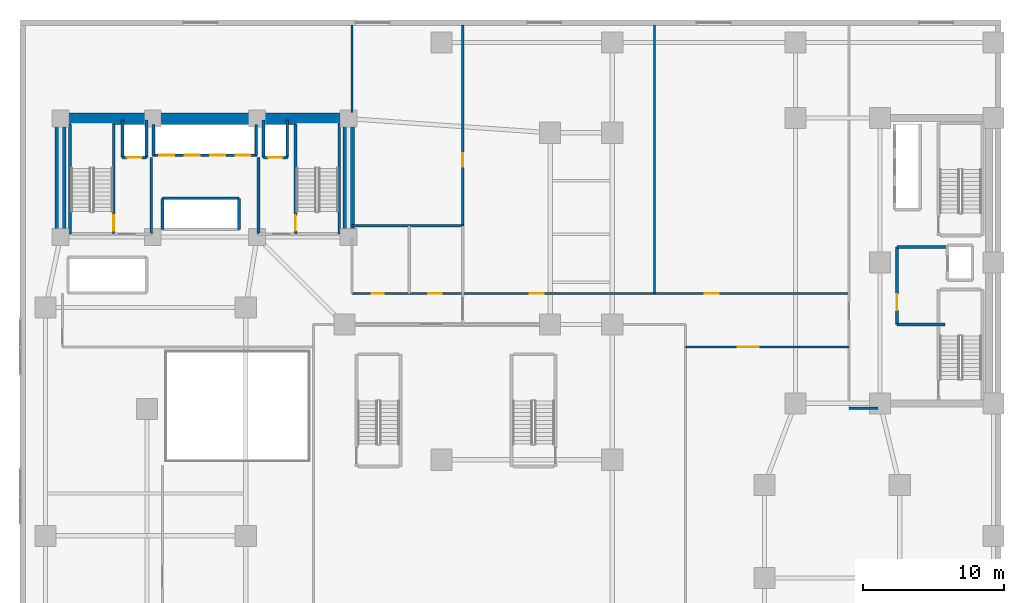
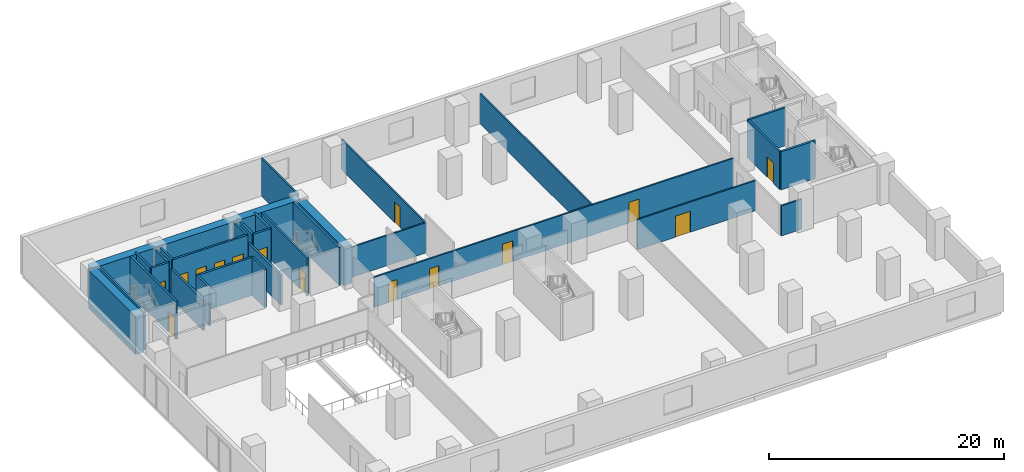
# One storey, part 9 of 14: 31 walls, 15 doors, 15 openings.
"""IFC4 building model written with IfcOpenShell, lengths in metres."""

import ifcopenshell
import ifcopenshell.guid

model = None  # the IFC model being written
_history = None  # IfcOwnerHistory: only IFC2X3 demands one
_inside = {}  # id of a spatial element -> (the spatial element, [elements in it])
_under = {}  # id of a project, library or spatial element -> (it, [spatial elements below it])
_declared = {}  # id of a project -> (the project, [libraries it declares])
_typed = {}  # id of a type object -> (the type object, [elements of that type])
_made_of = {}  # id of a material, layer set ... -> (it, [elements and type objects made of it])


def new_model(schema):
    """Start an empty IFC model of exactly this schema.

    Asked for "IFC4X3", IfcOpenShell would pick the latest addendum, in which some entities
    have other attributes; the version numbers below select the first issue.
    IFC2X3 requires an IfcOwnerHistory on every rooted entity: one is made here for all.
    """
    global model, _history
    if schema == "IFC4X3":
        model = ifcopenshell.file(schema_version=(4, 3, 0, 0))
    else:
        model = ifcopenshell.file(schema=schema)
    _inside.clear()
    _under.clear()
    _declared.clear()
    _typed.clear()
    _made_of.clear()
    _history = None
    if model.schema == "IFC2X3":
        org = make("IfcOrganization", Name="unknown")
        user = make(
            "IfcPersonAndOrganization",
            ThePerson=make("IfcPerson", FamilyName="unknown"),
            TheOrganization=org,
        )
        app = make(
            "IfcApplication",
            ApplicationDeveloper=org,
            Version="unknown",
            ApplicationFullName="unknown",
            ApplicationIdentifier="unknown",
        )
        _history = make(
            "IfcOwnerHistory",
            OwningUser=user,
            OwningApplication=app,
            ChangeAction="ADDED",
            CreationDate=0,
        )
    return model


def make(cls, **values):
    """One entity of the class cls with the attributes given. An attribute that is None is left unset."""
    return model.create_entity(
        cls, **{name: value for name, value in values.items() if value is not None}
    )


def rooted(cls, **values):
    """An entity with a GlobalId (a new one), such as an element, a storey or a relation."""
    return make(cls, GlobalId=ifcopenshell.guid.new(), OwnerHistory=_history, **values)


def si_unit(unit_type, name, prefix=None):
    """IfcSIUnit, for example si_unit("LENGTHUNIT", "METRE", prefix="MILLI")."""
    return make("IfcSIUnit", UnitType=unit_type, Prefix=prefix, Name=name)


def assignment(units):
    """IfcUnitAssignment: the units of a project."""
    return None if units is None else make("IfcUnitAssignment", Units=units)


def point(xyz):
    """IfcCartesianPoint."""
    return None if xyz is None else make("IfcCartesianPoint", Coordinates=xyz)


def direction(xyz):
    """IfcDirection."""
    return None if xyz is None else make("IfcDirection", DirectionRatios=xyz)


def frame(location, z_axis=None, x_axis=None):
    """IfcAxis2Placement3D, a coordinate frame: its origin and axes. An axis left out is left unset."""
    return make(
        "IfcAxis2Placement3D",
        Location=point(location),
        Axis=direction(z_axis),
        RefDirection=direction(x_axis),
    )


def frame_2d(location, x_axis=None):
    """IfcAxis2Placement2D, a coordinate frame in the plane: its origin and x axis."""
    return make(
        "IfcAxis2Placement2D", Location=point(location), RefDirection=direction(x_axis)
    )


def origin():
    """The frame at (0, 0, 0) with its axes left unset."""
    return frame((0.0, 0.0, 0.0))


def place(relative_to, where):
    """IfcLocalPlacement: puts the frame where relative to a parent placement (None: the world)."""
    return make(
        "IfcLocalPlacement", PlacementRelTo=relative_to, RelativePlacement=where
    )


def context(
    kind, dimensions, precision=None, world=None, true_north=None, identifier=None
):
    """IfcGeometricRepresentationContext, for example the 3D "Model" context."""
    return make(
        "IfcGeometricRepresentationContext",
        ContextIdentifier=identifier,
        ContextType=kind,
        CoordinateSpaceDimension=dimensions,
        Precision=precision,
        WorldCoordinateSystem=world,
        TrueNorth=true_north,
    )


def subcontext(parent, identifier, kind, view, scale=None):
    """IfcGeometricRepresentationSubContext, for example "Body" below "Model"."""
    return make(
        "IfcGeometricRepresentationSubContext",
        ContextIdentifier=identifier,
        ContextType=kind,
        ParentContext=parent,
        TargetScale=scale,
        TargetView=view,
    )


def project(units=None, contexts=None):
    """IfcProject with its units and contexts."""
    return rooted(
        "IfcProject",
        Name="project",
        RepresentationContexts=contexts,
        UnitsInContext=assignment(units),
    )


def spatial(cls, under=None, at=None, **own):
    """A site, building, storey or space (cls), placed at a placement, below another one or the project."""
    s = rooted(cls, ObjectPlacement=at, **own)
    if under is not None:
        _under.setdefault(under.id(), (under, []))[1].append(s)
    return s


def profile(cls, at=None, kind="AREA", **sizes):
    """A parametric profile (cls). Its sizes go by their IFC names, for example OverallWidth=200.0."""
    return make(cls, ProfileType=kind, Position=at, **sizes)


def rectangle(**sizes):
    """IfcRectangleProfileDef."""
    return profile("IfcRectangleProfileDef", **sizes)


def extrude(swept, where, along, depth):
    """IfcExtrudedAreaSolid: the profile swept, set in the frame where, extruded along a direction by depth."""
    return make(
        "IfcExtrudedAreaSolid",
        SweptArea=swept,
        Position=where,
        ExtrudedDirection=direction(along),
        Depth=depth,
    )


def shape(context_of_items, identifier, shape_type, items):
    """IfcShapeRepresentation: the items that make up one representation, for example the "Body"."""
    return make(
        "IfcShapeRepresentation",
        ContextOfItems=context_of_items,
        RepresentationIdentifier=identifier,
        RepresentationType=shape_type,
        Items=items,
    )


def material(Name=None, Category=None):
    """IfcMaterial."""
    return make("IfcMaterial", Name=Name, Category=Category)


def layer(
    of_material, thickness, ventilated=None, Name=None, Category=None, Priority=None
):
    """IfcMaterialLayer: one layer of a wall or slab, of a material (None: an air gap)."""
    return make(
        "IfcMaterialLayer",
        Material=of_material,
        LayerThickness=thickness,
        IsVentilated=ventilated,
        Name=Name,
        Category=Category,
        Priority=Priority,
    )


def layer_set(layers, Name=None):
    """IfcMaterialLayerSet."""
    return make("IfcMaterialLayerSet", MaterialLayers=layers, LayerSetName=Name)


def made_of(thing, what):
    """Note that an element or type object is made of a material, layer set ...; save() writes the relation."""
    if what is not None:
        _made_of.setdefault(what.id(), (what, []))[1].append(thing)
    return thing


def type_object(cls, material=None, **own):
    """A type object (cls), such as IfcWallType, which elements share."""
    return made_of(rooted(cls, **own), material)


def element(
    cls,
    number,
    at=None,
    inside=None,
    cuts=None,
    type_object=None,
    material=None,
    context=None,
    identifier="Body",
    shape_type=None,
    held_by="IfcProductDefinitionShape",
    body=None,
    shapes=None,
    **own,
):
    """One element of the class cls, such as IfcWall. Its Tag is "e" and its number.

    at: its placement. inside: the storey or other place that contains it. cuts: it is an
    opening in that element (IfcRelVoidsElement). A single representation is given by context,
    identifier, shape_type and body (its items); several are given by shapes. held_by: the class
    of the entity that holds the representations. save() writes the other relations.
    """
    e = rooted(cls, Tag="e%d" % number, ObjectPlacement=at, **own)
    if body is not None:
        shapes = [shape(context, identifier, shape_type, body)]
    if shapes is not None:
        e.Representation = make(held_by, Representations=shapes)
    if inside is not None:
        _inside.setdefault(inside.id(), (inside, []))[1].append(e)
    if cuts is not None:
        rooted(
            "IfcRelVoidsElement", RelatingBuildingElement=cuts, RelatedOpeningElement=e
        )
    if type_object is not None:
        _typed.setdefault(type_object.id(), (type_object, []))[1].append(e)
    return made_of(e, material)


def fill(opening, filler):
    """IfcRelFillsElement: the door or window that sits in an opening."""
    return rooted(
        "IfcRelFillsElement",
        RelatingOpeningElement=opening,
        RelatedBuildingElement=filler,
    )


def aggregate(whole, parts):
    """IfcRelAggregates: a whole, such as a stair, and the parts it consists of."""
    return rooted("IfcRelAggregates", RelatingObject=whole, RelatedObjects=parts)


def save(model, path):
    """Write the relations noted so far, then the file.

    IfcRelAggregates (storeys below a building ...), IfcRelContainedInSpatialStructure (elements
    in a storey), IfcRelDefinesByType, IfcRelAssociatesMaterial and IfcRelDeclares: one each for
    every whole, place, type object, material and project.
    """
    for whole, parts in _under.values():
        aggregate(whole, parts)
    for where, things in _inside.values():
        rooted(
            "IfcRelContainedInSpatialStructure",
            RelatedElements=things,
            RelatingStructure=where,
        )
    for kind, things in _typed.values():
        rooted("IfcRelDefinesByType", RelatedObjects=things, RelatingType=kind)
    for what, things in _made_of.values():
        rooted("IfcRelAssociatesMaterial", RelatedObjects=things, RelatingMaterial=what)
    for by, libraries in _declared.values():
        rooted("IfcRelDeclares", RelatingContext=by, RelatedDefinitions=libraries)
    model.write(path)


model = new_model("IFC4")

# Units and contexts
model_context = context("Model", 3, precision=1e-05, world=origin(), true_north=direction((0.0, 1.0)))
body_context = subcontext(model_context, "Body", "Model", "MODEL_VIEW")
ifc_project = project(units=[si_unit("LENGTHUNIT", "METRE"), si_unit("AREAUNIT", "SQUARE_METRE"), si_unit("VOLUMEUNIT", "CUBIC_METRE"), si_unit("PLANEANGLEUNIT", "RADIAN"), si_unit("MASSUNIT", "GRAM", prefix="KILO")], contexts=[model_context])

# Site, building, storey
site_placement = place(None, origin())
site = spatial("IfcSite", under=ifc_project, at=site_placement, CompositionType="ELEMENT")
building_placement = place(site_placement, origin())
building = spatial("IfcBuilding", under=site, at=building_placement, Name="Kuzgunbayir Cultural Tower", CompositionType="ELEMENT")
storey_placement = place(building_placement, frame((0.0, 0.0, 8.800048828125)))
storey = spatial("IfcBuildingStorey", under=building, at=storey_placement, Name="L02", CompositionType="ELEMENT", Elevation=8.800048828125)

# Walls
ifc_material_1 = material(Name="Concrete C60/75", Category="concrete")
ifc_layer_1 = layer(ifc_material_1, 0.800048828125)
ifc_layer_set_1 = layer_set([ifc_layer_1], Name="Concrete C60/75")
wall_type_1 = type_object("IfcWallType", Name="WAL-CORE-800", PredefinedType="SHEAR", material=ifc_layer_set_1)
wall_1_placement = place(storey_placement, frame((6.449951171875, 42.199951171875, 0.0), z_axis=(0.0, 0.0, 1.0), x_axis=(1.0, 0.0, 0.0)))
element("IfcWall", 1, at=wall_1_placement, inside=storey, type_object=wall_type_1, Name="L02 T1 Core North Shear Wall", PredefinedType="SHEAR", context=body_context, shape_type="SweptSolid", body=[
    extrude(rectangle(XDim=20.449951171875, YDim=0.800048828125, at=frame_2d((10.22509765625, 0.0))), origin(), (0.0, 0.0, 1.0), 3.949951171875),
])
for number, where, z_axis, x_axis, name in (
    (2, (6.449951171875, 33.800048828125, 0.0), (0.0, 0.0, 1.0), (0.0, 1.0, 0.0), "L02 T1 Core West Shear Wall"),
    (3, (26.89990234375, 33.800048828125, 0.0), (0.0, 0.0, 1.0), (0.0, 1.0, 0.0), "L02 T1 Core East Shear Wall"),
):
    element("IfcWall", number, at=place(storey_placement, frame(where, z_axis=z_axis, x_axis=x_axis)), inside=storey, type_object=wall_type_1, Name=name, PredefinedType="SHEAR", context=body_context, shape_type="SweptSolid", body=[
        extrude(rectangle(XDim=7.949951171875, YDim=0.800048828125, at=frame_2d((3.97509765625, 0.0))), origin(), (0.0, 0.0, 1.0), 3.949951171875),
    ])

# Wall, opening, door
ifc_material_2 = material(Name="Acoustic Double-Stud Drywall", Category="gypsum")
ifc_layer_2 = layer(ifc_material_2, 0.14990234375)
ifc_layer_set_2 = layer_set([ifc_layer_2], Name="Acoustic Double-Stud Drywall")
wall_type_2 = type_object("IfcWallType", Name="WAL-PART-ACOUSTIC-150", PredefinedType="PARTITIONING", material=ifc_layer_set_2)
wall_2_placement = place(storey_placement, frame((50.800048828125, 26.0, 0.0), z_axis=(0.0, 0.0, 1.0), x_axis=(1.0, 0.0, 0.0)))
wall_2 = element("IfcWall", 4, at=wall_2_placement, inside=storey, type_object=wall_type_2, Name="L02 East Concourse South Wall", PredefinedType="PARTITIONING", context=body_context, shape_type="SweptSolid", body=[
    extrude(rectangle(XDim=11.599853515625, YDim=0.14990234375, at=frame_2d((5.7998046875, 0.0))), origin(), (0.0, 0.0, 1.0), 3.1298828125),
])
opening_1_placement = place(wall_2_placement, frame((3.699951171875, 0.0, 0.0)))
opening_1 = element("IfcOpeningElement", 5, at=opening_1_placement, cuts=wall_2, Name="Opening DI-150", PredefinedType="OPENING", context=body_context, shape_type="SweptSolid", body=[
    extrude(rectangle(XDim=1.5, YDim=2.179931640625, at=frame_2d((0.75, 1.08984375))), frame((0.0, 0.0849609375, 0.0), z_axis=(0.0, -1.0, 0.0), x_axis=(1.0, 0.0, 0.0)), (0.0, 0.0, 1.0), 0.169921875),
])
ifc_material_3 = material(Name="Veneered Oak Double Leaf", Category="wood")
door_type_1 = type_object("IfcDoorType", Name="DR-INT-150", OperationType="DOUBLE_DOOR_SINGLE_SWING", PredefinedType="DOOR", material=ifc_material_3)
door_1_placement = place(opening_1_placement, origin())
door_1 = element("IfcDoor", 6, at=door_1_placement, inside=storey, type_object=door_type_1, Name="L02 East Hall Double Door", OperationType="DOUBLE_DOOR_SINGLE_SWING", OverallHeight=2.179931640625, OverallWidth=1.5, PredefinedType="DOOR", context=body_context, shape_type="SweptSolid", body=[
    extrude(rectangle(XDim=1.5, YDim=2.179931640625, at=frame_2d((0.75, 1.08984375))), frame((0.0, 0.02490234375, 0.0), z_axis=(0.0, -1.0, 0.0), x_axis=(1.0, 0.0, 0.0)), (0.0, 0.0, 1.0), 0.050048828125),
])
fill(opening_1, door_1)

# Wall, openings, doors
wall_3_placement = place(storey_placement, frame((27.14990234375, 29.800048828125, 0.0), z_axis=(0.0, 0.0, 1.0), x_axis=(1.0, 0.0, 0.0)))
wall_3 = element("IfcWall", 7, at=wall_3_placement, inside=storey, type_object=wall_type_2, Name="L02 Grand Concourse North Wall", PredefinedType="PARTITIONING", context=body_context, shape_type="SweptSolid", body=[
    extrude(rectangle(XDim=35.25, YDim=0.14990234375, at=frame_2d((17.625, 0.0))), origin(), (0.0, 0.0, 1.0), 3.1298828125),
])
opening_2_placement = place(wall_3_placement, frame((25.0, 0.0, 0.0)))
opening_2 = element("IfcOpeningElement", 8, at=opening_2_placement, cuts=wall_3, Name="Opening DI-100", PredefinedType="OPENING", context=body_context, shape_type="SweptSolid", body=[
    extrude(rectangle(XDim=1.0, YDim=2.14990234375, at=frame_2d((0.5, 1.074951171875))), frame((0.0, 0.0849609375, 0.0), z_axis=(0.0, -1.0, 0.0), x_axis=(1.0, 0.0, 0.0)), (0.0, 0.0, 1.0), 0.169921875),
])
opening_3_placement = place(wall_3_placement, frame((1.39990234375, 0.0, 0.0)))
opening_3 = element("IfcOpeningElement", 9, at=opening_3_placement, cuts=wall_3, Name="Opening DW-85", PredefinedType="OPENING", context=body_context, shape_type="SweptSolid", body=[
    extrude(rectangle(XDim=0.85009765625, YDim=2.10009765625, at=frame_2d((0.425048828125, 1.050048828125))), frame((0.0, 0.0849609375, 0.0), z_axis=(0.0, -1.0, 0.0), x_axis=(1.0, 0.0, 0.0)), (0.0, 0.0, 1.0), 0.169921875),
])
opening_4_placement = place(wall_3_placement, frame((5.39990234375, 0.0, 0.0)))
opening_4 = element("IfcOpeningElement", 10, at=opening_4_placement, cuts=wall_3, Name="Opening DW-95", PredefinedType="OPENING", context=body_context, shape_type="SweptSolid", body=[
    extrude(rectangle(XDim=0.949951171875, YDim=2.10009765625, at=frame_2d((0.47509765625, 1.050048828125))), frame((0.0, 0.0849609375, 0.0), z_axis=(0.0, -1.0, 0.0), x_axis=(1.0, 0.0, 0.0)), (0.0, 0.0, 1.0), 0.169921875),
])
opening_5_placement = place(wall_3_placement, frame((12.60009765625, 0.0, 0.0)))
opening_5 = element("IfcOpeningElement", 11, at=opening_5_placement, cuts=wall_3, Name="Opening DI-100", PredefinedType="OPENING", context=body_context, shape_type="SweptSolid", body=[
    extrude(rectangle(XDim=1.0, YDim=2.14990234375, at=frame_2d((0.5, 1.074951171875))), frame((0.0, 0.0849609375, 0.0), z_axis=(0.0, -1.0, 0.0), x_axis=(1.0, 0.0, 0.0)), (0.0, 0.0, 1.0), 0.169921875),
])
ifc_material_4 = material(Name="Veneered Oak Single Leaf", Category="wood")
door_type_2 = type_object("IfcDoorType", Name="DR-INT-100", OperationType="NOTDEFINED", PredefinedType="DOOR", material=ifc_material_4)
door_2_placement = place(opening_2_placement, origin())
door_2 = element("IfcDoor", 12, at=door_2_placement, inside=storey, type_object=door_type_2, Name="L02 North Design Studio Door", OperationType="SINGLE_SWING_RIGHT", OverallHeight=2.14990234375, OverallWidth=1.0, PredefinedType="DOOR", context=body_context, shape_type="SweptSolid", body=[
    extrude(rectangle(XDim=1.0, YDim=2.14990234375, at=frame_2d((0.5, 1.074951171875))), frame((0.0, 0.02490234375, 0.0), z_axis=(0.0, -1.0, 0.0), x_axis=(1.0, 0.0, 0.0)), (0.0, 0.0, 1.0), 0.050048828125),
])
fill(opening_2, door_2)
door_3_placement = place(opening_5_placement, origin())
door_3 = element("IfcDoor", 13, at=door_3_placement, inside=storey, type_object=door_type_2, Name="L02 North Hall Door", OperationType="SINGLE_SWING_RIGHT", OverallHeight=2.14990234375, OverallWidth=1.0, PredefinedType="DOOR", context=body_context, shape_type="SweptSolid", body=[
    extrude(rectangle(XDim=1.0, YDim=2.14990234375, at=frame_2d((0.5, 1.074951171875))), frame((0.0, 0.02490234375, 0.0), z_axis=(0.0, -1.0, 0.0), x_axis=(1.0, 0.0, 0.0)), (0.0, 0.0, 1.0), 0.050048828125),
])
fill(opening_5, door_3)
ifc_material_5 = material(Name="Laminate Moisture-Resistant Leaf", Category="wood")
door_type_3 = type_object("IfcDoorType", Name="DR-WET-85", OperationType="NOTDEFINED", PredefinedType="DOOR", material=ifc_material_5)
door_4_placement = place(opening_3_placement, origin())
door_4 = element("IfcDoor", 14, at=door_4_placement, inside=storey, type_object=door_type_3, Name="L02 Public WC Door", OperationType="SINGLE_SWING_RIGHT", OverallHeight=2.10009765625, OverallWidth=0.85009765625, PredefinedType="DOOR", context=body_context, shape_type="SweptSolid", body=[
    extrude(rectangle(XDim=0.85009765625, YDim=2.10009765625, at=frame_2d((0.425048828125, 1.050048828125))), frame((0.0, 0.02490234375, 0.0), z_axis=(0.0, -1.0, 0.0), x_axis=(1.0, 0.0, 0.0)), (0.0, 0.0, 1.0), 0.050048828125),
])
fill(opening_3, door_4)
door_type_4 = type_object("IfcDoorType", Name="DR-WET-95", OperationType="NOTDEFINED", PredefinedType="DOOR", material=ifc_material_5)
door_5_placement = place(opening_4_placement, origin())
door_5 = element("IfcDoor", 15, at=door_5_placement, inside=storey, type_object=door_type_4, Name="L02 Accessible WC Door", OperationType="SINGLE_SWING_LEFT", OverallHeight=2.10009765625, OverallWidth=0.949951171875, PredefinedType="DOOR", context=body_context, shape_type="SweptSolid", body=[
    extrude(rectangle(XDim=0.949951171875, YDim=2.10009765625, at=frame_2d((0.47509765625, 1.050048828125))), frame((0.0, 0.02490234375, 0.0), z_axis=(0.0, -1.0, 0.0), x_axis=(1.0, 0.0, 0.0)), (0.0, 0.0, 1.0), 0.050048828125),
])
fill(opening_4, door_5)

# Wall, opening, door
wall_4_placement = place(storey_placement, frame((35.0, 34.60009765625, 0.0), z_axis=(0.0, 0.0, 1.0), x_axis=(0.0, 1.0, 0.0)))
wall_4 = element("IfcWall", 16, at=wall_4_placement, inside=storey, type_object=wall_type_2, Name="L02 Archive West Wall", PredefinedType="PARTITIONING", context=body_context, shape_type="SweptSolid", body=[
    extrude(rectangle(XDim=14.25, YDim=0.14990234375, at=frame_2d((7.125, 0.0))), origin(), (0.0, 0.0, 1.0), 3.1298828125),
])
opening_6_placement = place(wall_4_placement, frame((4.199951171875, 0.0, 0.0)))
opening_6 = element("IfcOpeningElement", 17, at=opening_6_placement, cuts=wall_4, Name="Opening DI-90", PredefinedType="OPENING", context=body_context, shape_type="SweptSolid", body=[
    extrude(rectangle(XDim=0.949951171875, YDim=2.14990234375, at=frame_2d((0.47509765625, 1.074951171875))), frame((0.0, 0.0849609375, 0.0), z_axis=(0.0, -1.0, 0.0), x_axis=(1.0, 0.0, 0.0)), (0.0, 0.0, 1.0), 0.169921875),
])
door_type_5 = type_object("IfcDoorType", Name="DR-INT-90", OperationType="NOTDEFINED", PredefinedType="DOOR", material=ifc_material_4)
door_6_placement = place(opening_6_placement, origin())
door_6 = element("IfcDoor", 18, at=door_6_placement, inside=storey, type_object=door_type_5, Name="L02 Collection Study Room Door", OperationType="SINGLE_SWING_LEFT", OverallHeight=2.14990234375, OverallWidth=0.949951171875, PredefinedType="DOOR", context=body_context, shape_type="SweptSolid", body=[
    extrude(rectangle(XDim=0.949951171875, YDim=2.14990234375, at=frame_2d((0.47509765625, 1.074951171875))), frame((0.0, 0.02490234375, 0.0), z_axis=(0.0, -1.0, 0.0), x_axis=(1.0, 0.0, 0.0)), (0.0, 0.0, 1.0), 0.050048828125),
])
fill(opening_6, door_6)

# Walls
wall_5_placement = place(storey_placement, frame((48.60009765625, 29.800048828125, 0.0), z_axis=(0.0, 0.0, 1.0), x_axis=(0.0, 1.0, 0.0)))
element("IfcWall", 19, at=wall_5_placement, inside=storey, type_object=wall_type_2, Name="L02 North Gallery Divider", PredefinedType="PARTITIONING", context=body_context, shape_type="SweptSolid", body=[
    extrude(rectangle(XDim=19.050048828125, YDim=0.14990234375, at=frame_2d((9.52490234375, 0.0))), origin(), (0.0, 0.0, 1.0), 3.1298828125),
])
wall_6_placement = place(storey_placement, frame((62.39990234375, 21.64990234375, 0.0), z_axis=(0.0, 0.0, 1.0), x_axis=(1.0, 0.0, 0.0)))
element("IfcWall", 20, at=wall_6_placement, inside=storey, type_object=wall_type_2, Name="L02 Companion Core South Closure", PredefinedType="PARTITIONING", context=body_context, shape_type="SweptSolid", body=[
    extrude(rectangle(XDim=2.050048828125, YDim=0.14990234375, at=frame_2d((1.02490234375, 0.0))), origin(), (0.0, 0.0, 1.0), 3.1298828125),
])
ifc_material_6 = material(Name="Aerated Concrete Blockwork", Category="masonry")
ifc_layer_3 = layer(ifc_material_6, 0.199951171875)
ifc_layer_set_3 = layer_set([ifc_layer_3], Name="Aerated Concrete Blockwork")
wall_type_3 = type_object("IfcWallType", Name="WAL-PART-FIRE-200", PredefinedType="PARTITIONING", material=ifc_layer_set_3)
for number, where, z_axis, x_axis, name in (
    (21, (12.89990234375, 34.0, 0.0), (0.0, 0.0, 1.0), (0.0, 1.0, 0.0), "L02 FFL-1 Lobby East Fire Wall"),
    (22, (20.5, 34.0, 0.0), (0.0, 0.0, 1.0), (0.0, 1.0, 0.0), "L02 FFL-2 Lobby West Fire Wall"),
):
    element("IfcWall", number, at=place(storey_placement, frame(where, z_axis=z_axis, x_axis=x_axis)), inside=storey, type_object=wall_type_3, Name=name, PredefinedType="PARTITIONING", context=body_context, shape_type="SweptSolid", body=[
        extrude(rectangle(XDim=5.449951171875, YDim=0.199951171875, at=frame_2d((2.72509765625, 0.0))), origin(), (0.0, 0.0, 1.0), 3.1298828125),
    ])

# Wall, opening, door
wall_7_placement = place(storey_placement, frame((65.800048828125, 27.60009765625, 0.0), z_axis=(0.0, 0.0, 1.0), x_axis=(0.0, 1.0, 0.0)))
wall_7 = element("IfcWall", 23, at=wall_7_placement, inside=storey, type_object=wall_type_3, Name="L02 FFL-3 Lobby West Fire Wall", PredefinedType="PARTITIONING", context=body_context, shape_type="SweptSolid", body=[
    extrude(rectangle(XDim=5.5, YDim=0.199951171875, at=frame_2d((2.75, 0.0))), origin(), (0.0, 0.0, 1.0), 3.949951171875),
])
opening_7_placement = place(wall_7_placement, frame((1.0, 0.0, 0.0)))
opening_7 = element("IfcOpeningElement", 24, at=opening_7_placement, cuts=wall_7, Name="Opening DR-FFL-90", PredefinedType="OPENING", context=body_context, shape_type="SweptSolid", body=[
    extrude(rectangle(XDim=1.14990234375, YDim=2.14990234375, at=frame_2d((0.574951171875, 1.074951171875))), frame((0.0, 0.10986328125, 0.0), z_axis=(0.0, -1.0, 0.0), x_axis=(1.0, 0.0, 0.0)), (0.0, 0.0, 1.0), 0.219970703125),
])
ifc_material_7 = material(Name="Steel S355J2", Category="steel")
door_type_6 = type_object("IfcDoorType", Name="DR-FFL-90", OperationType="NOTDEFINED", PredefinedType="DOOR", material=ifc_material_7)
door_7_placement = place(opening_7_placement, origin())
door_7 = element("IfcDoor", 25, at=door_7_placement, inside=storey, type_object=door_type_6, Name="L02 Firefighting Lobby 3 Door", OperationType="SINGLE_SWING_LEFT", OverallHeight=2.14990234375, OverallWidth=1.14990234375, PredefinedType="DOOR", context=body_context, shape_type="SweptSolid", body=[
    extrude(rectangle(XDim=1.14990234375, YDim=2.14990234375, at=frame_2d((0.574951171875, 1.074951171875))), frame((0.0, 0.02490234375, 0.0), z_axis=(0.0, -1.0, 0.0), x_axis=(1.0, 0.0, 0.0)), (0.0, 0.0, 1.0), 0.050048828125),
])
fill(opening_7, door_7)

# Walls
wall_8_placement = place(storey_placement, frame((65.800048828125, 33.10009765625, 0.0), z_axis=(0.0, 0.0, 1.0), x_axis=(1.0, 0.0, 0.0)))
element("IfcWall", 26, at=wall_8_placement, inside=storey, type_object=wall_type_3, Name="L02 FFL-3 Lobby North Fire Wall", PredefinedType="PARTITIONING", context=body_context, shape_type="SweptSolid", body=[
    extrude(rectangle(XDim=3.599853515625, YDim=0.199951171875, at=frame_2d((1.7998046875, 0.0))), origin(), (0.0, 0.0, 1.0), 3.949951171875),
])
wall_9_placement = place(storey_placement, frame((65.800048828125, 27.60009765625, 0.0), z_axis=(0.0, 0.0, 1.0), x_axis=(1.0, 0.0, 0.0)))
element("IfcWall", 27, at=wall_9_placement, inside=storey, type_object=wall_type_3, Name="L02 FFL-3 Lobby South Fire Wall", PredefinedType="PARTITIONING", context=body_context, shape_type="SweptSolid", body=[
    extrude(rectangle(XDim=3.39990234375, YDim=0.199951171875, at=frame_2d((1.699951171875, 0.0))), origin(), (0.0, 0.0, 1.0), 3.949951171875),
])
ifc_material_8 = material(Name="Moisture-Resistant Tile Partition", Category="gypsum")
ifc_layer_4 = layer(ifc_material_8, 0.14990234375)
ifc_layer_set_4 = layer_set([ifc_layer_4], Name="Moisture-Resistant Tile Partition")
wall_type_4 = type_object("IfcWallType", Name="WAL-PART-WET-150", PredefinedType="PARTITIONING", material=ifc_layer_set_4)
wall_10_placement = place(storey_placement, frame((27.14990234375, 42.64990234375, 0.0), z_axis=(0.0, 0.0, 1.0), x_axis=(0.0, 1.0, 0.0)))
element("IfcWall", 28, at=wall_10_placement, inside=storey, type_object=wall_type_4, Name="L02 Core East Partition North", PredefinedType="PARTITIONING", context=body_context, shape_type="SweptSolid", body=[
    extrude(rectangle(XDim=6.2001953125, YDim=0.14990234375, at=frame_2d((3.10009765625, 0.0))), origin(), (0.0, 0.0, 1.0), 3.949951171875),
])
wall_11_placement = place(storey_placement, frame((27.14990234375, 34.60009765625, 0.0), z_axis=(0.0, 0.0, 1.0), x_axis=(1.0, 0.0, 0.0)))
element("IfcWall", 29, at=wall_11_placement, inside=storey, type_object=wall_type_4, Name="L02 Restroom North Back Wall", PredefinedType="PARTITIONING", context=body_context, shape_type="SweptSolid", body=[
    extrude(rectangle(XDim=7.85009765625, YDim=0.14990234375, at=frame_2d((3.925048828125, 0.0))), origin(), (0.0, 0.0, 1.0), 3.1298828125),
])

# Wall, opening, door
ifc_material_9 = material(Name="Concrete C40/50", Category="concrete")
ifc_layer_5 = layer(ifc_material_9, 0.199951171875)
ifc_layer_set_5 = layer_set([ifc_layer_5], Name="Concrete C40/50")
wall_type_5 = type_object("IfcWallType", Name="WAL-SHAFT-200", PredefinedType="MOVABLE", material=ifc_layer_set_5)
wall_12_placement = place(storey_placement, frame((10.85009765625, 39.449951171875, 0.0), z_axis=(0.0, 0.0, 1.0), x_axis=(1.0, 0.0, 0.0)))
wall_12 = element("IfcWall", 30, at=wall_12_placement, inside=storey, type_object=wall_type_5, Name="L02 FFL-1 Lift Front Wall", PredefinedType="MOVABLE", context=body_context, shape_type="SweptSolid", body=[
    extrude(rectangle(XDim=1.699951171875, YDim=0.199951171875, at=frame_2d((0.85009765625, 0.0))), origin(), (0.0, 0.0, 1.0), 3.949951171875),
])
opening_8_placement = place(wall_12_placement, frame((0.320068359375, 0.0, 0.0)))
opening_8 = element("IfcOpeningElement", 31, at=opening_8_placement, cuts=wall_12, Name="Opening LD", PredefinedType="OPENING", context=body_context, shape_type="SweptSolid", body=[
    extrude(rectangle(XDim=1.050048828125, YDim=2.14990234375, at=frame_2d((0.52490234375, 1.074951171875))), frame((0.0, 0.10986328125, 0.0), z_axis=(0.0, -1.0, 0.0), x_axis=(1.0, 0.0, 0.0)), (0.0, 0.0, 1.0), 0.219970703125),
])
ifc_material_10 = material(Name="Brushed Stainless Steel", Category="steel")
door_type_7 = type_object("IfcDoorType", Name="DR-LIFT-LANDING", OperationType="SLIDING_TO_LEFT", PredefinedType="DOOR", material=ifc_material_10)
door_8_placement = place(opening_8_placement, origin())
door_8 = element("IfcDoor", 32, at=door_8_placement, inside=storey, type_object=door_type_7, Name="L02 Lift FFL-1 Landing Door", OperationType="SLIDING_TO_LEFT", OverallHeight=2.14990234375, OverallWidth=1.050048828125, PredefinedType="DOOR", context=body_context, shape_type="SweptSolid", body=[
    extrude(rectangle(XDim=1.050048828125, YDim=2.14990234375, at=frame_2d((0.52490234375, 1.074951171875))), frame((0.0, 0.02490234375, 0.0), z_axis=(0.0, -1.0, 0.0), x_axis=(1.0, 0.0, 0.0)), (0.0, 0.0, 1.0), 0.050048828125),
])
fill(opening_8, door_8)

wall_13_placement = place(storey_placement, frame((20.85009765625, 39.449951171875, 0.0), z_axis=(0.0, 0.0, 1.0), x_axis=(1.0, 0.0, 0.0)))
wall_13 = element("IfcWall", 33, at=wall_13_placement, inside=storey, type_object=wall_type_5, Name="L02 FFL-2 Lift Front Wall", PredefinedType="MOVABLE", context=body_context, shape_type="SweptSolid", body=[
    extrude(rectangle(XDim=1.699951171875, YDim=0.199951171875, at=frame_2d((0.85009765625, 0.0))), origin(), (0.0, 0.0, 1.0), 3.949951171875),
])
opening_9_placement = place(wall_13_placement, frame((0.320068359375, 0.0, 0.0)))
opening_9 = element("IfcOpeningElement", 34, at=opening_9_placement, cuts=wall_13, Name="Opening LD", PredefinedType="OPENING", context=body_context, shape_type="SweptSolid", body=[
    extrude(rectangle(XDim=1.050048828125, YDim=2.14990234375, at=frame_2d((0.52490234375, 1.074951171875))), frame((0.0, 0.10986328125, 0.0), z_axis=(0.0, -1.0, 0.0), x_axis=(1.0, 0.0, 0.0)), (0.0, 0.0, 1.0), 0.219970703125),
])
door_9_placement = place(opening_9_placement, origin())
door_9 = element("IfcDoor", 35, at=door_9_placement, inside=storey, type_object=door_type_7, Name="L02 Lift FFL-2 Landing Door", OperationType="SLIDING_TO_LEFT", OverallHeight=2.14990234375, OverallWidth=1.050048828125, PredefinedType="DOOR", context=body_context, shape_type="SweptSolid", body=[
    extrude(rectangle(XDim=1.050048828125, YDim=2.14990234375, at=frame_2d((0.52490234375, 1.074951171875))), frame((0.0, 0.02490234375, 0.0), z_axis=(0.0, -1.0, 0.0), x_axis=(1.0, 0.0, 0.0)), (0.0, 0.0, 1.0), 0.050048828125),
])
fill(opening_9, door_9)

# Walls
for number, where, z_axis, x_axis, name in (
    (36, (10.85009765625, 39.449951171875, 0.0), (0.0, 0.0, 1.0), (0.0, 1.0, 0.0), "L02 FFL-1 Shaft West Wall"),
    (37, (12.550048828125, 39.449951171875, 0.0), (0.0, 0.0, 1.0), (0.0, 1.0, 0.0), "L02 FFL-1 Shaft East Wall"),
    (38, (20.85009765625, 39.449951171875, 0.0), (0.0, 0.0, 1.0), (0.0, 1.0, 0.0), "L02 FFL-2 Shaft West Wall"),
    (39, (22.550048828125, 39.449951171875, 0.0), (0.0, 0.0, 1.0), (0.0, 1.0, 0.0), "L02 FFL-2 Shaft East Wall"),
):
    element("IfcWall", number, at=place(storey_placement, frame(where, z_axis=z_axis, x_axis=x_axis)), inside=storey, type_object=wall_type_5, Name=name, PredefinedType="MOVABLE", context=body_context, shape_type="SweptSolid", body=[
        extrude(rectangle(XDim=2.650146484375, YDim=0.199951171875, at=frame_2d((1.3251953125, 0.0))), origin(), (0.0, 0.0, 1.0), 3.949951171875),
    ])

# Wall, openings, doors
wall_14_placement = place(storey_placement, frame((13.0, 39.60009765625, 0.0), z_axis=(0.0, 0.0, 1.0), x_axis=(1.0, 0.0, 0.0)))
wall_14 = element("IfcWall", 40, at=wall_14_placement, inside=storey, type_object=wall_type_5, Name="L02 Low-Rise Lift Front Wall", PredefinedType="MOVABLE", context=body_context, shape_type="SweptSolid", body=[
    extrude(rectangle(XDim=7.39990234375, YDim=0.199951171875, at=frame_2d((3.699951171875, 0.0))), origin(), (0.0, 0.0, 1.0), 3.949951171875),
])
opening_10_placement = place(wall_14_placement, frame((0.469970703125, 0.0, 0.0)))
opening_10 = element("IfcOpeningElement", 41, at=opening_10_placement, cuts=wall_14, Name="Opening LD", PredefinedType="OPENING", context=body_context, shape_type="SweptSolid", body=[
    extrude(rectangle(XDim=1.050048828125, YDim=2.14990234375, at=frame_2d((0.52490234375, 1.074951171875))), frame((0.0, 0.10986328125, 0.0), z_axis=(0.0, -1.0, 0.0), x_axis=(1.0, 0.0, 0.0)), (0.0, 0.0, 1.0), 0.219970703125),
])
opening_11_placement = place(wall_14_placement, frame((2.280029296875, 0.0, 0.0)))
opening_11 = element("IfcOpeningElement", 42, at=opening_11_placement, cuts=wall_14, Name="Opening LD", PredefinedType="OPENING", context=body_context, shape_type="SweptSolid", body=[
    extrude(rectangle(XDim=1.050048828125, YDim=2.14990234375, at=frame_2d((0.52490234375, 1.074951171875))), frame((0.0, 0.10986328125, 0.0), z_axis=(0.0, -1.0, 0.0), x_axis=(1.0, 0.0, 0.0)), (0.0, 0.0, 1.0), 0.219970703125),
])
opening_12_placement = place(wall_14_placement, frame((4.080078125, 0.0, 0.0)))
opening_12 = element("IfcOpeningElement", 43, at=opening_12_placement, cuts=wall_14, Name="Opening LD", PredefinedType="OPENING", context=body_context, shape_type="SweptSolid", body=[
    extrude(rectangle(XDim=1.050048828125, YDim=2.14990234375, at=frame_2d((0.52490234375, 1.074951171875))), frame((0.0, 0.10986328125, 0.0), z_axis=(0.0, -1.0, 0.0), x_axis=(1.0, 0.0, 0.0)), (0.0, 0.0, 1.0), 0.219970703125),
])
opening_13_placement = place(wall_14_placement, frame((5.8798828125, 0.0, 0.0)))
opening_13 = element("IfcOpeningElement", 44, at=opening_13_placement, cuts=wall_14, Name="Opening LD", PredefinedType="OPENING", context=body_context, shape_type="SweptSolid", body=[
    extrude(rectangle(XDim=1.050048828125, YDim=2.14990234375, at=frame_2d((0.52490234375, 1.074951171875))), frame((0.0, 0.10986328125, 0.0), z_axis=(0.0, -1.0, 0.0), x_axis=(1.0, 0.0, 0.0)), (0.0, 0.0, 1.0), 0.219970703125),
])
door_10_placement = place(opening_10_placement, origin())
door_10 = element("IfcDoor", 45, at=door_10_placement, inside=storey, type_object=door_type_7, Name="L02 Lift PL-1 Landing Door", OperationType="SLIDING_TO_LEFT", OverallHeight=2.14990234375, OverallWidth=1.050048828125, PredefinedType="DOOR", context=body_context, shape_type="SweptSolid", body=[
    extrude(rectangle(XDim=1.050048828125, YDim=2.14990234375, at=frame_2d((0.52490234375, 1.074951171875))), frame((0.0, 0.02490234375, 0.0), z_axis=(0.0, -1.0, 0.0), x_axis=(1.0, 0.0, 0.0)), (0.0, 0.0, 1.0), 0.050048828125),
])
fill(opening_10, door_10)
door_11_placement = place(opening_11_placement, origin())
door_11 = element("IfcDoor", 46, at=door_11_placement, inside=storey, type_object=door_type_7, Name="L02 Lift PL-2 Landing Door", OperationType="SLIDING_TO_LEFT", OverallHeight=2.14990234375, OverallWidth=1.050048828125, PredefinedType="DOOR", context=body_context, shape_type="SweptSolid", body=[
    extrude(rectangle(XDim=1.050048828125, YDim=2.14990234375, at=frame_2d((0.52490234375, 1.074951171875))), frame((0.0, 0.02490234375, 0.0), z_axis=(0.0, -1.0, 0.0), x_axis=(1.0, 0.0, 0.0)), (0.0, 0.0, 1.0), 0.050048828125),
])
fill(opening_11, door_11)
door_12_placement = place(opening_12_placement, origin())
door_12 = element("IfcDoor", 47, at=door_12_placement, inside=storey, type_object=door_type_7, Name="L02 Lift PL-3 Landing Door", OperationType="SLIDING_TO_LEFT", OverallHeight=2.14990234375, OverallWidth=1.050048828125, PredefinedType="DOOR", context=body_context, shape_type="SweptSolid", body=[
    extrude(rectangle(XDim=1.050048828125, YDim=2.14990234375, at=frame_2d((0.52490234375, 1.074951171875))), frame((0.0, 0.02490234375, 0.0), z_axis=(0.0, -1.0, 0.0), x_axis=(1.0, 0.0, 0.0)), (0.0, 0.0, 1.0), 0.050048828125),
])
fill(opening_12, door_12)
door_13_placement = place(opening_13_placement, origin())
door_13 = element("IfcDoor", 48, at=door_13_placement, inside=storey, type_object=door_type_7, Name="L02 Lift PL-4 Landing Door", OperationType="SLIDING_TO_LEFT", OverallHeight=2.14990234375, OverallWidth=1.050048828125, PredefinedType="DOOR", context=body_context, shape_type="SweptSolid", body=[
    extrude(rectangle(XDim=1.050048828125, YDim=2.14990234375, at=frame_2d((0.52490234375, 1.074951171875))), frame((0.0, 0.02490234375, 0.0), z_axis=(0.0, -1.0, 0.0), x_axis=(1.0, 0.0, 0.0)), (0.0, 0.0, 1.0), 0.050048828125),
])
fill(opening_13, door_13)

# Walls
for number, where, z_axis, x_axis, name in (
    (49, (13.050048828125, 39.60009765625, 0.0), (0.0, 0.0, 1.0), (0.0, 1.0, 0.0), "L02 Low-Rise Lift Shaft West Wall"),
    (50, (20.35009765625, 39.60009765625, 0.0), (0.0, 0.0, 1.0), (0.0, 1.0, 0.0), "L02 Low-Rise Lift Shaft East Wall"),
):
    element("IfcWall", number, at=place(storey_placement, frame(where, z_axis=z_axis, x_axis=x_axis)), inside=storey, type_object=wall_type_5, Name=name, PredefinedType="MOVABLE", context=body_context, shape_type="SweptSolid", body=[
        extrude(rectangle(XDim=2.179931640625, YDim=0.199951171875, at=frame_2d((1.08984375, 0.0))), origin(), (0.0, 0.0, 1.0), 3.949951171875),
    ])
wall_15_placement = place(storey_placement, frame((13.699951171875, 36.550048828125, 0.0), z_axis=(0.0, 0.0, 1.0), x_axis=(1.0, 0.0, 0.0)))
element("IfcWall", 51, at=wall_15_placement, inside=storey, type_object=wall_type_5, Name="L02 Mid-Rise Lift Shaft North Wall", PredefinedType="MOVABLE", context=body_context, shape_type="SweptSolid", body=[
    extrude(rectangle(XDim=5.420166015625, YDim=0.199951171875, at=frame_2d((2.7099609375, 0.0))), origin(), (0.0, 0.0, 1.0), 3.949951171875),
])
for number, where, z_axis, x_axis, name in (
    (52, (13.699951171875, 34.35009765625, 0.0), (0.0, 0.0, 1.0), (0.0, 1.0, 0.0), "L02 Mid-Rise Lift Shaft West Wall"),
    (53, (19.1201171875, 34.35009765625, 0.0), (0.0, 0.0, 1.0), (0.0, 1.0, 0.0), "L02 Mid-Rise Lift Shaft East Wall"),
):
    element("IfcWall", number, at=place(storey_placement, frame(where, z_axis=z_axis, x_axis=x_axis)), inside=storey, type_object=wall_type_5, Name=name, PredefinedType="MOVABLE", context=body_context, shape_type="SweptSolid", body=[
        extrude(rectangle(XDim=2.199951171875, YDim=0.199951171875, at=frame_2d((1.10009765625, 0.0))), origin(), (0.0, 0.0, 1.0), 3.949951171875),
    ])
ifc_layer_6 = layer(ifc_material_9, 0.199951171875)
ifc_layer_set_6 = layer_set([ifc_layer_6], Name="Concrete C40/50")
wall_type_6 = type_object("IfcWallType", Name="WAL-STAIR-RC-200", PredefinedType="SHEAR", material=ifc_layer_set_6)
wall_16_placement = place(storey_placement, frame((7.1201171875, 34.02001953125, 0.0), z_axis=(0.0, 0.0, 1.0), x_axis=(0.0, 1.0, 0.0)))
element("IfcWall", 54, at=wall_16_placement, inside=storey, type_object=wall_type_6, Name="L02 Stair ST-1 West Structural Wall", PredefinedType="SHEAR", context=body_context, shape_type="SweptSolid", body=[
    extrude(rectangle(XDim=7.780029296875, YDim=0.199951171875, at=frame_2d((3.89013671875, 0.0))), origin(), (0.0, 0.0, 1.0), 3.949951171875),
])

# Wall, opening, door
wall_17_placement = place(storey_placement, frame((10.239990234375, 34.02001953125, 0.0), z_axis=(0.0, 0.0, 1.0), x_axis=(0.0, 1.0, 0.0)))
wall_17 = element("IfcWall", 55, at=wall_17_placement, inside=storey, type_object=wall_type_6, Name="L02 Stair ST-1 East Structural Wall", PredefinedType="SHEAR", context=body_context, shape_type="SweptSolid", body=[
    extrude(rectangle(XDim=7.780029296875, YDim=0.199951171875, at=frame_2d((3.89013671875, 0.0))), origin(), (0.0, 0.0, 1.0), 3.949951171875),
])
opening_14_placement = place(wall_17_placement, frame((0.219970703125, 0.0, 0.0)))
opening_14 = element("IfcOpeningElement", 56, at=opening_14_placement, cuts=wall_17, Name="Opening DR-STAIR-90", PredefinedType="OPENING", context=body_context, shape_type="SweptSolid", body=[
    extrude(rectangle(XDim=1.10009765625, YDim=2.14990234375, at=frame_2d((0.550048828125, 1.074951171875))), frame((0.0, 0.10986328125, 0.0), z_axis=(0.0, -1.0, 0.0), x_axis=(1.0, 0.0, 0.0)), (0.0, 0.0, 1.0), 0.219970703125),
])
door_type_8 = type_object("IfcDoorType", Name="DR-STAIR-90", OperationType="NOTDEFINED", PredefinedType="DOOR", material=ifc_material_7)
door_14_placement = place(opening_14_placement, origin())
door_14 = element("IfcDoor", 57, at=door_14_placement, inside=storey, type_object=door_type_8, Name="L02 Stair ST-1 Fire Door", OperationType="SINGLE_SWING_RIGHT", OverallHeight=2.14990234375, OverallWidth=1.10009765625, PredefinedType="DOOR", context=body_context, shape_type="SweptSolid", body=[
    extrude(rectangle(XDim=1.10009765625, YDim=2.14990234375, at=frame_2d((0.550048828125, 1.074951171875))), frame((0.0, 0.02490234375, 0.0), z_axis=(0.0, -1.0, 0.0), x_axis=(1.0, 0.0, 0.0)), (0.0, 0.0, 1.0), 0.050048828125),
])
fill(opening_14, door_14)

wall_18_placement = place(storey_placement, frame((23.1201171875, 34.02001953125, 0.0), z_axis=(0.0, 0.0, 1.0), x_axis=(0.0, 1.0, 0.0)))
wall_18 = element("IfcWall", 58, at=wall_18_placement, inside=storey, type_object=wall_type_6, Name="L02 Stair ST-2 West Structural Wall", PredefinedType="SHEAR", context=body_context, shape_type="SweptSolid", body=[
    extrude(rectangle(XDim=7.780029296875, YDim=0.199951171875, at=frame_2d((3.89013671875, 0.0))), origin(), (0.0, 0.0, 1.0), 3.949951171875),
])
opening_15_placement = place(wall_18_placement, frame((0.219970703125, 0.0, 0.0)))
opening_15 = element("IfcOpeningElement", 59, at=opening_15_placement, cuts=wall_18, Name="Opening DR-STAIR-90", PredefinedType="OPENING", context=body_context, shape_type="SweptSolid", body=[
    extrude(rectangle(XDim=1.10009765625, YDim=2.14990234375, at=frame_2d((0.550048828125, 1.074951171875))), frame((0.0, 0.10986328125, 0.0), z_axis=(0.0, -1.0, 0.0), x_axis=(1.0, 0.0, 0.0)), (0.0, 0.0, 1.0), 0.219970703125),
])
door_15_placement = place(opening_15_placement, origin())
door_15 = element("IfcDoor", 60, at=door_15_placement, inside=storey, type_object=door_type_8, Name="L02 Stair ST-2 Fire Door", OperationType="SINGLE_SWING_RIGHT", OverallHeight=2.14990234375, OverallWidth=1.10009765625, PredefinedType="DOOR", context=body_context, shape_type="SweptSolid", body=[
    extrude(rectangle(XDim=1.10009765625, YDim=2.14990234375, at=frame_2d((0.550048828125, 1.074951171875))), frame((0.0, 0.02490234375, 0.0), z_axis=(0.0, -1.0, 0.0), x_axis=(1.0, 0.0, 0.0)), (0.0, 0.0, 1.0), 0.050048828125),
])
fill(opening_15, door_15)

# Wall
wall_19_placement = place(storey_placement, frame((26.239990234375, 34.02001953125, 0.0), z_axis=(0.0, 0.0, 1.0), x_axis=(0.0, 1.0, 0.0)))
element("IfcWall", 61, at=wall_19_placement, inside=storey, type_object=wall_type_6, Name="L02 Stair ST-2 East Structural Wall", PredefinedType="SHEAR", context=body_context, shape_type="SweptSolid", body=[
    extrude(rectangle(XDim=7.780029296875, YDim=0.199951171875, at=frame_2d((3.89013671875, 0.0))), origin(), (0.0, 0.0, 1.0), 3.949951171875),
])

save(model, "model.ifc")
